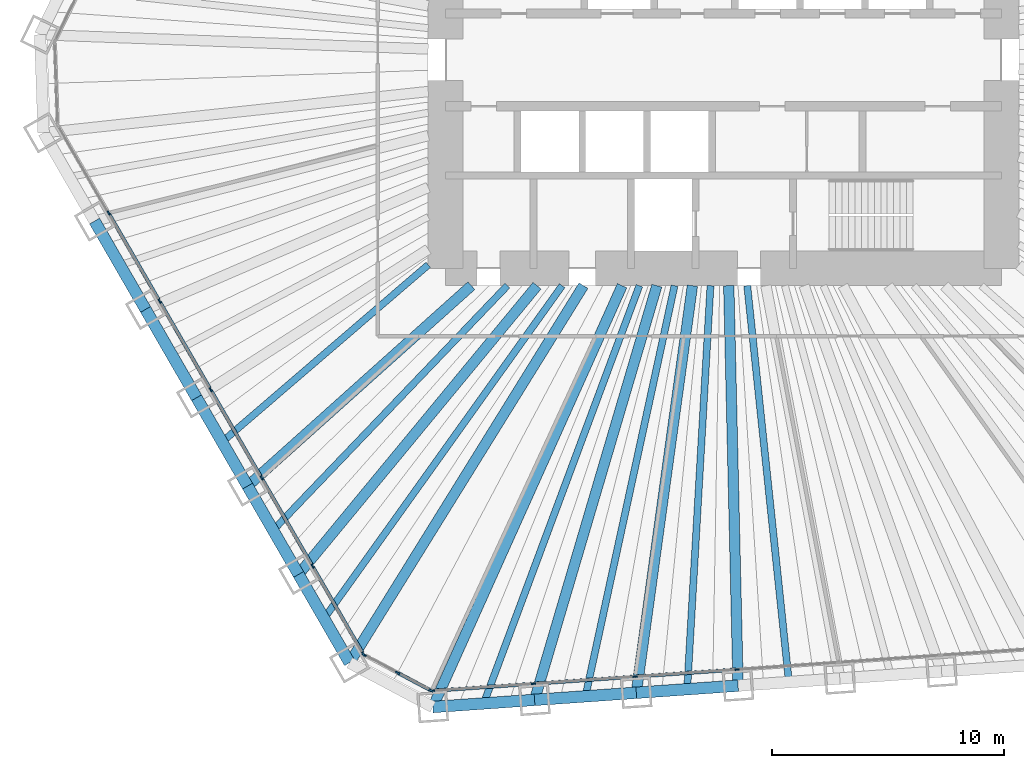
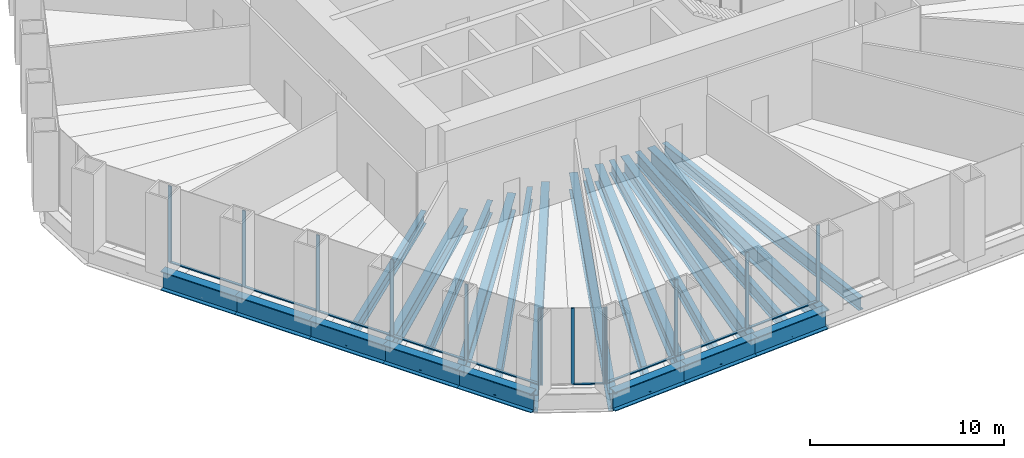
# One storey, part 2 of 14: 22 beams, 22 members, 3 elements without a shape of their own.
"""IFC4 building model written with IfcOpenShell, lengths in metres."""

from ifc_helpers import new_model, si_unit, direction, frame, origin, origin_2d, place, context, subcontext, project, spatial, rectangle, i_section, extrude, material, material_profile, profile_set, type_object, element, aggregate, save


model = new_model("IFC4")

# Units and contexts
model_context = context("Model", 3, precision=1e-05, world=origin(), true_north=direction((0.0, 1.0)))
body_context = subcontext(model_context, "Body", "Model", "MODEL_VIEW")
ifc_project = project(units=[si_unit("LENGTHUNIT", "METRE"), si_unit("AREAUNIT", "SQUARE_METRE"), si_unit("VOLUMEUNIT", "CUBIC_METRE"), si_unit("PLANEANGLEUNIT", "RADIAN"), si_unit("MASSUNIT", "GRAM", prefix="KILO")], contexts=[model_context])

# Site, building, storey
site_placement = place(None, origin())
site = spatial("IfcSite", under=ifc_project, at=site_placement, CompositionType="ELEMENT")
building_placement = place(site_placement, origin())
building = spatial("IfcBuilding", under=site, at=building_placement, Name="Qingtian Harvest Tower", CompositionType="ELEMENT")
storey_placement = place(building_placement, frame((0.0, 0.0, 82.0)))
storey = spatial("IfcBuildingStorey", under=building, at=storey_placement, Name="L16", CompositionType="ELEMENT", Elevation=82.0)

# Beams
ifc_material_1 = material(Name="Steel SM570MC", Category="steel")
ifc_material_profile_1 = material_profile(ifc_material_1, i_section(OverallWidth=0.449951171875, OverallDepth=1.10009765625, WebThickness=0.02197265625, FlangeThickness=0.044921875, at=origin_2d()), Name="H1100x450x22x45")
ifc_profile_set_1 = profile_set([ifc_material_profile_1], Name="Steel SM570MC")
beam_type_1 = type_object("IfcBeamType", Name="Corner floor beam FB8 H1100x450x22x45", PredefinedType="BEAM", material=ifc_profile_set_1)
beam_1_placement = place(storey_placement, frame((-12.552734375, -27.943603515625, -0.75), z_axis=(0.409769605538, 0.912189054077, 0.0), x_axis=(-0.912189054077, 0.409769605538, 0.0)))
element("IfcBeam", 1, at=beam_1_placement, inside=storey, type_object=beam_type_1, Name="Floor beam FB8 S6", PredefinedType="BEAM", context=body_context, shape_type="SweptSolid", body=[
    extrude(i_section(OverallWidth=0.449951171875, OverallDepth=1.10009765625, WebThickness=0.02197265625, FlangeThickness=0.044921875, at=origin_2d()), origin(), (0.0, 0.0, 1.0), 19.945068359375),
])
beam_2_placement = place(storey_placement, frame((-16.14697265625, -26.03271484375, -0.75), z_axis=(0.5270935495, 0.849807266429, 0.0), x_axis=(-0.849807266429, 0.5270935495, 0.0)))
element("IfcBeam", 2, at=beam_2_placement, inside=storey, type_object=beam_type_1, Name="Floor beam FB8 SW0", PredefinedType="BEAM", context=body_context, shape_type="SweptSolid", body=[
    extrude(i_section(OverallWidth=0.449951171875, OverallDepth=1.10009765625, WebThickness=0.02197265625, FlangeThickness=0.044921875, at=origin_2d()), origin(), (0.0, 0.0, 1.0), 19.160400390625),
])
ifc_material_2 = material(Name="Steel SM570MC", Category="steel")
ifc_material_profile_2 = material_profile(ifc_material_2, i_section(OverallWidth=0.449951171875, OverallDepth=1.10009765625, WebThickness=0.02197265625, FlangeThickness=0.044921875, at=origin_2d()), Name="H1100x450x22x45")
ifc_profile_set_2 = profile_set([ifc_material_profile_2], Name="Steel SM570MC")
beam_type_2 = type_object("IfcBeamType", Name="Floor beam FB1 H1100x450x22x45", PredefinedType="BEAM", material=ifc_profile_set_2)
beam_3_placement = place(storey_placement, frame((0.62890625, -27.02197265625, -0.75), z_axis=(-0.023274161941, 0.999729120005, 0.0), x_axis=(-0.999729120005, -0.023274161941, 0.0)))
element("IfcBeam", 3, at=beam_3_placement, inside=storey, type_object=beam_type_2, Name="Floor beam FB1 S3", PredefinedType="BEAM", context=body_context, shape_type="SweptSolid", body=[
    extrude(i_section(OverallWidth=0.449951171875, OverallDepth=1.10009765625, WebThickness=0.02197265625, FlangeThickness=0.044921875, at=origin_2d()), origin(), (0.0, 0.0, 1.0), 17.276611328125),
])
beam_4_placement = place(storey_placement, frame((-3.76513671875, -27.3291015625, -0.75), z_axis=(0.136480966577, 0.990642693287, 0.0), x_axis=(-0.990642693287, 0.136480966577, 0.0)))
element("IfcBeam", 4, at=beam_4_placement, inside=storey, type_object=beam_type_2, Name="Floor beam FB1 S4", PredefinedType="BEAM", context=body_context, shape_type="SweptSolid", body=[
    extrude(i_section(OverallWidth=0.449951171875, OverallDepth=1.10009765625, WebThickness=0.02197265625, FlangeThickness=0.044921875, at=origin_2d()), origin(), (0.0, 0.0, 1.0), 17.7451171875),
])
beam_5_placement = place(storey_placement, frame((-8.158935546875, -27.636474609375, -0.75), z_axis=(0.283142824758, 0.95907775534, 0.0), x_axis=(-0.95907775534, 0.283142824758, 0.0)))
element("IfcBeam", 5, at=beam_5_placement, inside=storey, type_object=beam_type_2, Name="Floor beam FB1 S5", PredefinedType="BEAM", context=body_context, shape_type="SweptSolid", body=[
    extrude(i_section(OverallWidth=0.449951171875, OverallDepth=1.10009765625, WebThickness=0.02197265625, FlangeThickness=0.044921875, at=origin_2d()), origin(), (0.0, 0.0, 1.0), 18.649658203125),
])
beam_6_placement = place(storey_placement, frame((-18.349365234375, -22.21826171875, -0.75), z_axis=(0.636780387972, 0.771045224026, 0.0), x_axis=(-0.771045224026, 0.636780387972, 0.0)))
element("IfcBeam", 6, at=beam_6_placement, inside=storey, type_object=beam_type_2, Name="Floor beam FB1 SW1", PredefinedType="BEAM", context=body_context, shape_type="SweptSolid", body=[
    extrude(i_section(OverallWidth=0.449951171875, OverallDepth=1.10009765625, WebThickness=0.02197265625, FlangeThickness=0.044921875, at=origin_2d()), origin(), (0.0, 0.0, 1.0), 16.170654296875),
])
beam_7_placement = place(storey_placement, frame((-20.551513671875, -18.403564453125, -0.75), z_axis=(0.744965104975, 0.667103434536, 0.0), x_axis=(-0.667103434536, 0.744965104975, 0.0)))
element("IfcBeam", 7, at=beam_7_placement, inside=storey, type_object=beam_type_2, Name="Floor beam FB1 SW2", PredefinedType="BEAM", context=body_context, shape_type="SweptSolid", body=[
    extrude(i_section(OverallWidth=0.449951171875, OverallDepth=1.10009765625, WebThickness=0.02197265625, FlangeThickness=0.044921875, at=origin_2d()), origin(), (0.0, 0.0, 1.0), 12.971923828125),
])
ifc_material_3 = material(Name="Steel SN490B", Category="steel")
ifc_material_profile_3 = material_profile(ifc_material_3, i_section(OverallWidth=0.300048828125, OverallDepth=0.800048828125, WebThickness=0.013916015625, FlangeThickness=0.02587890625, at=origin_2d()), Name="H800x300x14x26")
ifc_profile_set_3 = profile_set([ifc_material_profile_3], Name="Steel SN490B")
beam_type_3 = type_object("IfcBeamType", Name="Floor joist J1 H800x300x14x26", PredefinedType="JOIST", material=ifc_profile_set_3)
beam_8_placement = place(storey_placement, frame((2.82568359375, -26.868408203125, -0.60009765625), z_axis=(-0.104590278152, 0.99451539642, 0.0), x_axis=(-0.99451539642, -0.104590278152, 0.0)))
element("IfcBeam", 8, at=beam_8_placement, inside=storey, type_object=beam_type_3, Name="Floor joist J1 S2", PredefinedType="JOIST", context=body_context, shape_type="SweptSolid", body=[
    extrude(i_section(OverallWidth=0.300048828125, OverallDepth=0.800048828125, WebThickness=0.013916015625, FlangeThickness=0.02587890625, at=origin_2d()), origin(), (0.0, 0.0, 1.0), 17.212890625),
])
beam_9_placement = place(storey_placement, frame((-1.568115234375, -27.175537109375, -0.60009765625), z_axis=(0.057613424947, 0.998338967118, 0.0), x_axis=(-0.998338967118, 0.057613424947, 0.0)))
element("IfcBeam", 9, at=beam_9_placement, inside=storey, type_object=beam_type_3, Name="Floor joist J1 S3", PredefinedType="JOIST", context=body_context, shape_type="SweptSolid", body=[
    extrude(i_section(OverallWidth=0.300048828125, OverallDepth=0.800048828125, WebThickness=0.013916015625, FlangeThickness=0.02587890625, at=origin_2d()), origin(), (0.0, 0.0, 1.0), 17.45458984375),
])
beam_10_placement = place(storey_placement, frame((-5.9619140625, -27.48291015625, -0.60009765625), z_axis=(0.211992805661, 0.977271226604, 0.0), x_axis=(-0.977271226604, 0.211992805661, 0.0)))
element("IfcBeam", 10, at=beam_10_placement, inside=storey, type_object=beam_type_3, Name="Floor joist J1 S4", PredefinedType="JOIST", context=body_context, shape_type="SweptSolid", body=[
    extrude(i_section(OverallWidth=0.300048828125, OverallDepth=0.800048828125, WebThickness=0.013916015625, FlangeThickness=0.02587890625, at=origin_2d()), origin(), (0.0, 0.0, 1.0), 18.145263671875),
])
beam_11_placement = place(storey_placement, frame((-10.35595703125, -27.7900390625, -0.60009765625), z_axis=(0.349193741063, 0.937050548905, 0.0), x_axis=(-0.937050548905, 0.349193741063, 0.0)))
element("IfcBeam", 11, at=beam_11_placement, inside=storey, type_object=beam_type_3, Name="Floor joist J1 S5", PredefinedType="JOIST", context=body_context, shape_type="SweptSolid", body=[
    extrude(i_section(OverallWidth=0.300048828125, OverallDepth=0.800048828125, WebThickness=0.013916015625, FlangeThickness=0.02587890625, at=origin_2d()), origin(), (0.0, 0.0, 1.0), 19.251953125),
])
beam_12_placement = place(storey_placement, frame((-17.248046875, -24.12548828125, -0.60009765625), z_axis=(0.581580544546, 0.81348882611, 0.0), x_axis=(-0.81348882611, 0.581580544546, 0.0)))
element("IfcBeam", 12, at=beam_12_placement, inside=storey, type_object=beam_type_3, Name="Floor joist J1 SW0", PredefinedType="JOIST", context=body_context, shape_type="SweptSolid", body=[
    extrude(i_section(OverallWidth=0.300048828125, OverallDepth=0.800048828125, WebThickness=0.013916015625, FlangeThickness=0.02587890625, at=origin_2d()), origin(), (0.0, 0.0, 1.0), 17.67138671875),
])
beam_13_placement = place(storey_placement, frame((-19.450439453125, -20.31103515625, -0.60009765625), z_axis=(0.691639144398, 0.722243237377, 0.0), x_axis=(-0.722243237377, 0.691639144398, 0.0)))
element("IfcBeam", 13, at=beam_13_placement, inside=storey, type_object=beam_type_3, Name="Floor joist J1 SW1", PredefinedType="JOIST", context=body_context, shape_type="SweptSolid", body=[
    extrude(i_section(OverallWidth=0.300048828125, OverallDepth=0.800048828125, WebThickness=0.013916015625, FlangeThickness=0.02587890625, at=origin_2d()), origin(), (0.0, 0.0, 1.0), 14.62255859375),
])
beam_14_placement = place(storey_placement, frame((-21.652587890625, -16.496337890625, -0.60009765625), z_axis=(0.758605680154, 0.651550014994, 0.0), x_axis=(-0.651550014994, 0.758605680154, 0.0)))
element("IfcBeam", 14, at=beam_14_placement, inside=storey, type_object=beam_type_3, Name="Floor joist J1 SW2", PredefinedType="JOIST", context=body_context, shape_type="SweptSolid", body=[
    extrude(i_section(OverallWidth=0.300048828125, OverallDepth=0.800048828125, WebThickness=0.013916015625, FlangeThickness=0.02587890625, at=origin_2d()), origin(), (0.0, 0.0, 1.0), 11.7353515625),
])

# Curtain wall, members
ifc_material_4 = material(Name="Bronze-anodised aluminium curtain wall", Category="aluminium")
curtain_wall_type = type_object("IfcCurtainWallType", Name="Curtain wall CW2 farm reception", PredefinedType="USERDEFINED", material=ifc_material_4)
curtain_wall_1_placement = place(storey_placement, origin())
curtain_wall_1 = element("IfcCurtainWall", 15, at=curtain_wall_1_placement, inside=storey, type_object=curtain_wall_type, Name="Curtain wall CW2 L16 S0-5", ObjectType="RECESSED CURTAIN WALL", PredefinedType="USERDEFINED")
ifc_material_5 = material(Name="Bronze-anodised aluminium mullion", Category="aluminium")
ifc_material_profile_4 = material_profile(ifc_material_5, rectangle(XDim=0.06494140625, YDim=0.199951171875, at=origin_2d()), Name="AL 65x200")
ifc_profile_set_4 = profile_set([ifc_material_profile_4], Name="Bronze-anodised aluminium mullion")
member_type_1 = type_object("IfcMemberType", Name="Mullion CWM 65x200", PredefinedType="MULLION", material=ifc_profile_set_4)
member_1_placement = place(storey_placement, frame((0.580078125, -26.32373046875, 0.0), z_axis=(0.0, 0.0, 1.0), x_axis=(0.069756473744, -0.99756405026, 0.0)))
member_1 = element("IfcMember", 16, at=member_1_placement, type_object=member_type_1, Name="CW2 mullion 4", PredefinedType="MULLION", context=body_context, shape_type="SweptSolid", body=[
    extrude(rectangle(XDim=0.06494140625, YDim=0.199951171875, at=origin_2d()), origin(), (0.0, 0.0, 1.0), 4.800048828125),
])
member_2_placement = place(storey_placement, frame((-3.81396484375, -26.630859375, 0.0), z_axis=(0.0, 0.0, 1.0), x_axis=(0.069756473744, -0.99756405026, 0.0)))
member_2 = element("IfcMember", 17, at=member_2_placement, type_object=member_type_1, Name="CW2 mullion 5", PredefinedType="MULLION", context=body_context, shape_type="SweptSolid", body=[
    extrude(rectangle(XDim=0.06494140625, YDim=0.199951171875, at=origin_2d()), origin(), (0.0, 0.0, 1.0), 4.800048828125),
])
member_3_placement = place(storey_placement, frame((-8.207763671875, -26.938232421875, 0.0), z_axis=(0.0, 0.0, 1.0), x_axis=(0.069756473744, -0.99756405026, 0.0)))
member_3 = element("IfcMember", 18, at=member_3_placement, type_object=member_type_1, Name="CW2 mullion 6", PredefinedType="MULLION", context=body_context, shape_type="SweptSolid", body=[
    extrude(rectangle(XDim=0.06494140625, YDim=0.199951171875, at=origin_2d()), origin(), (0.0, 0.0, 1.0), 4.800048828125),
])
member_4_placement = place(storey_placement, frame((-12.569091796875, -27.2431640625, 0.0), z_axis=(0.0, 0.0, 1.0), x_axis=(0.069756473744, -0.99756405026, 0.0)))
member_4 = element("IfcMember", 19, at=member_4_placement, type_object=member_type_1, Name="CW2 mullion 7", PredefinedType="MULLION", context=body_context, shape_type="SweptSolid", body=[
    extrude(rectangle(XDim=0.06494140625, YDim=0.199951171875, at=origin_2d()), origin(), (0.0, 0.0, 1.0), 4.800048828125),
])

curtain_wall_2_placement = place(storey_placement, origin())
curtain_wall_2 = element("IfcCurtainWall", 20, at=curtain_wall_2_placement, inside=storey, type_object=curtain_wall_type, Name="Curtain wall CW2 L16 SC", ObjectType="RECESSED CURTAIN WALL", PredefinedType="USERDEFINED")
member_5_placement = place(storey_placement, frame((-12.63037109375, -27.230224609375, 0.0), z_axis=(0.0, 0.0, 1.0), x_axis=(-0.469471562786, -0.882947592859, 0.0)))
member_5 = element("IfcMember", 21, at=member_5_placement, type_object=member_type_1, Name="CW2 mullion 1", PredefinedType="MULLION", context=body_context, shape_type="SweptSolid", body=[
    extrude(rectangle(XDim=0.06494140625, YDim=0.199951171875, at=origin_2d()), origin(), (0.0, 0.0, 1.0), 4.800048828125),
])
member_6_placement = place(storey_placement, frame((-14.0712890625, -26.464111328125, 0.0), z_axis=(0.0, 0.0, 1.0), x_axis=(-0.469471562786, -0.882947592859, 0.0)))
member_6 = element("IfcMember", 22, at=member_6_placement, type_object=member_type_1, Name="CW2 mullion 2", PredefinedType="MULLION", context=body_context, shape_type="SweptSolid", body=[
    extrude(rectangle(XDim=0.06494140625, YDim=0.199951171875, at=origin_2d()), origin(), (0.0, 0.0, 1.0), 4.800048828125),
])
member_7_placement = place(storey_placement, frame((-15.511962890625, -25.697998046875, 0.0), z_axis=(0.0, 0.0, 1.0), x_axis=(-0.469471562786, -0.882947592859, 0.0)))
member_7 = element("IfcMember", 23, at=member_7_placement, type_object=member_type_1, Name="CW2 mullion 3", PredefinedType="MULLION", context=body_context, shape_type="SweptSolid", body=[
    extrude(rectangle(XDim=0.06494140625, YDim=0.199951171875, at=origin_2d()), origin(), (0.0, 0.0, 1.0), 4.800048828125),
])

curtain_wall_3_placement = place(storey_placement, origin())
curtain_wall_3 = element("IfcCurtainWall", 24, at=curtain_wall_3_placement, inside=storey, type_object=curtain_wall_type, Name="Curtain wall CW2 L16 SW0-5", ObjectType="RECESSED CURTAIN WALL", PredefinedType="USERDEFINED")
member_8_placement = place(storey_placement, frame((-15.556884765625, -25.654541015625, 0.0), z_axis=(0.0, 0.0, 1.0), x_axis=(-0.866025403784, -0.5, 0.0)))
member_8 = element("IfcMember", 25, at=member_8_placement, type_object=member_type_1, Name="CW2 mullion 1", PredefinedType="MULLION", context=body_context, shape_type="SweptSolid", body=[
    extrude(rectangle(XDim=0.06494140625, YDim=0.199951171875, at=origin_2d()), origin(), (0.0, 0.0, 1.0), 4.800048828125),
])
member_9_placement = place(storey_placement, frame((-17.742919921875, -21.8681640625, 0.0), z_axis=(0.0, 0.0, 1.0), x_axis=(-0.866025403784, -0.5, 0.0)))
member_9 = element("IfcMember", 26, at=member_9_placement, type_object=member_type_1, Name="CW2 mullion 2", PredefinedType="MULLION", context=body_context, shape_type="SweptSolid", body=[
    extrude(rectangle(XDim=0.06494140625, YDim=0.199951171875, at=origin_2d()), origin(), (0.0, 0.0, 1.0), 4.800048828125),
])
member_10_placement = place(storey_placement, frame((-19.9453125, -18.0537109375, 0.0), z_axis=(0.0, 0.0, 1.0), x_axis=(-0.866025403784, -0.5, 0.0)))
member_10 = element("IfcMember", 27, at=member_10_placement, type_object=member_type_1, Name="CW2 mullion 3", PredefinedType="MULLION", context=body_context, shape_type="SweptSolid", body=[
    extrude(rectangle(XDim=0.06494140625, YDim=0.199951171875, at=origin_2d()), origin(), (0.0, 0.0, 1.0), 4.800048828125),
])
member_11_placement = place(storey_placement, frame((-22.147705078125, -14.2392578125, 0.0), z_axis=(0.0, 0.0, 1.0), x_axis=(-0.866025403784, -0.5, 0.0)))
member_11 = element("IfcMember", 28, at=member_11_placement, type_object=member_type_1, Name="CW2 mullion 4", PredefinedType="MULLION", context=body_context, shape_type="SweptSolid", body=[
    extrude(rectangle(XDim=0.06494140625, YDim=0.199951171875, at=origin_2d()), origin(), (0.0, 0.0, 1.0), 4.800048828125),
])
member_12_placement = place(storey_placement, frame((-24.349853515625, -10.424560546875, 0.0), z_axis=(0.0, 0.0, 1.0), x_axis=(-0.866025403784, -0.5, 0.0)))
member_12 = element("IfcMember", 29, at=member_12_placement, type_object=member_type_1, Name="CW2 mullion 5", PredefinedType="MULLION", context=body_context, shape_type="SweptSolid", body=[
    extrude(rectangle(XDim=0.06494140625, YDim=0.199951171875, at=origin_2d()), origin(), (0.0, 0.0, 1.0), 4.800048828125),
])
member_13_placement = place(storey_placement, frame((-26.55224609375, -6.610107421875, 0.0), z_axis=(0.0, 0.0, 1.0), x_axis=(-0.866025403784, -0.5, 0.0)))
member_13 = element("IfcMember", 30, at=member_13_placement, type_object=member_type_1, Name="CW2 mullion 6", PredefinedType="MULLION", context=body_context, shape_type="SweptSolid", body=[
    extrude(rectangle(XDim=0.06494140625, YDim=0.199951171875, at=origin_2d()), origin(), (0.0, 0.0, 1.0), 4.800048828125),
])

# Beams
ifc_material_6 = material(Name="Steel SM570MC", Category="steel")
ifc_material_profile_5 = material_profile(ifc_material_6, i_section(OverallWidth=0.5, OverallDepth=1.199951171875, WebThickness=0.02490234375, FlangeThickness=0.050048828125, at=origin_2d()), Name="H1200x500x25x50")
ifc_profile_set_5 = profile_set([ifc_material_profile_5], Name="Steel SM570MC")
beam_type_4 = type_object("IfcBeamType", Name="Spandrel beam SB1 H1200x500x25x50", PredefinedType="SPANDREL", material=ifc_profile_set_5)
beam_15_placement = place(storey_placement, frame((0.62890625, -27.02197265625, -0.60009765625), z_axis=(-0.997566143208, -0.069726536735, 0.0), x_axis=(0.069726536735, -0.997566143208, 0.0)))
element("IfcBeam", 31, at=beam_15_placement, inside=storey, type_object=beam_type_4, Name="Spandrel SB1 S3", PredefinedType="SPANDREL", context=body_context, shape_type="SweptSolid", body=[
    extrude(i_section(OverallWidth=0.5, OverallDepth=1.199951171875, WebThickness=0.02490234375, FlangeThickness=0.050048828125, at=origin_2d()), origin(), (0.0, 0.0, 1.0), 4.40478515625),
])
for number, where, z_axis, x_axis, name in (
    (32, (-3.76513671875, -27.3291015625, -0.60009765625), (-0.997562016486, -0.069785551967, 0.0), (0.069785551967, -0.997562016486, 0.0), "Spandrel SB1 S4"),
    (33, (-8.158935546875, -27.636474609375, -0.60009765625), (-0.997565873714, -0.069730392239, 0.0), (0.069730392239, -0.997565873714, 0.0), "Spandrel SB1 S5"),
    (34, (-16.14697265625, -26.03271484375, -0.60009765625), (-0.50001992892, 0.866013897511, 0.0), (-0.866013897511, -0.50001992892, 0.0), "Spandrel SB1 SW0"),
):
    element("IfcBeam", number, at=place(storey_placement, frame(where, z_axis=z_axis, x_axis=x_axis)), inside=storey, type_object=beam_type_4, Name=name, PredefinedType="SPANDREL", context=body_context, shape_type="SweptSolid", body=[
        extrude(i_section(OverallWidth=0.5, OverallDepth=1.199951171875, WebThickness=0.02490234375, FlangeThickness=0.050048828125, at=origin_2d()), origin(), (0.0, 0.0, 1.0), 4.404541015625),
    ])
beam_16_placement = place(storey_placement, frame((-18.349365234375, -22.21826171875, -0.60009765625), z_axis=(-0.499954356739, 0.86605175433, 0.0), x_axis=(-0.86605175433, -0.499954356739, 0.0)))
element("IfcBeam", 35, at=beam_16_placement, inside=storey, type_object=beam_type_4, Name="Spandrel SB1 SW1", PredefinedType="SPANDREL", context=body_context, shape_type="SweptSolid", body=[
    extrude(i_section(OverallWidth=0.5, OverallDepth=1.199951171875, WebThickness=0.02490234375, FlangeThickness=0.050048828125, at=origin_2d()), origin(), (0.0, 0.0, 1.0), 4.40478515625),
])
for number, where, z_axis, x_axis, name in (
    (36, (-20.551513671875, -18.403564453125, -0.60009765625), (-0.50001992892, 0.866013897511, 0.0), (-0.866013897511, -0.50001992892, 0.0), "Spandrel SB1 SW2"),
    (37, (-22.75390625, -14.589111328125, -0.60009765625), (-0.499978356969, 0.866037899034, 0.0), (-0.866037899034, -0.499978356969, 0.0), "Spandrel SB1 SW3"),
    (38, (-24.9560546875, -10.774658203125, -0.60009765625), (-0.50001992892, 0.866013897511, 0.0), (-0.866013897511, -0.50001992892, 0.0), "Spandrel SB1 SW4"),
):
    element("IfcBeam", number, at=place(storey_placement, frame(where, z_axis=z_axis, x_axis=x_axis)), inside=storey, type_object=beam_type_4, Name=name, PredefinedType="SPANDREL", context=body_context, shape_type="SweptSolid", body=[
        extrude(i_section(OverallWidth=0.5, OverallDepth=1.199951171875, WebThickness=0.02490234375, FlangeThickness=0.050048828125, at=origin_2d()), origin(), (0.0, 0.0, 1.0), 4.404541015625),
    ])

# Member
ifc_material_7 = material(Name="Bronze-anodised aluminium transom", Category="aluminium")
ifc_material_profile_6 = material_profile(ifc_material_7, rectangle(XDim=0.14990234375, YDim=0.06494140625, at=origin_2d()), Name="AL 65x150")
ifc_profile_set_6 = profile_set([ifc_material_profile_6], Name="Bronze-anodised aluminium transom")
member_type_2 = type_object("IfcMemberType", Name="Transom CWT 65x150", PredefinedType="USERDEFINED", material=ifc_profile_set_6)
member_14_placement = place(storey_placement, frame((0.547607421875, -26.325927734375, 0.032470703125), z_axis=(-0.997563824095, -0.069759707979, 0.0), x_axis=(0.069759707979, -0.997563824095, 0.0)))
member_14 = element("IfcMember", 39, at=member_14_placement, type_object=member_type_2, Name="CW2 transom 4.1", ObjectType="TRANSOM", PredefinedType="USERDEFINED", context=body_context, shape_type="SweptSolid", body=[
    extrude(rectangle(XDim=0.14990234375, YDim=0.06494140625, at=origin_2d()), origin(), (0.0, 0.0, 1.0), 4.339599609375),
])

member_15_placement = place(storey_placement, frame((-3.84619140625, -26.63330078125, 0.032470703125), z_axis=(-0.997567737508, -0.069703723594, 0.0), x_axis=(0.069703723594, -0.997567737508, 0.0)))
member_15 = element("IfcMember", 40, at=member_15_placement, type_object=member_type_2, Name="CW2 transom 5.1", ObjectType="TRANSOM", PredefinedType="USERDEFINED", context=body_context, shape_type="SweptSolid", body=[
    extrude(rectangle(XDim=0.14990234375, YDim=0.06494140625, at=origin_2d()), origin(), (0.0, 0.0, 1.0), 4.339599609375),
])

member_16_placement = place(storey_placement, frame((-8.240234375, -26.9404296875, 0.032470703125), z_axis=(-0.997562637827, -0.069776669536, 0.0), x_axis=(0.069776669536, -0.997562637827, 0.0)))
member_16 = element("IfcMember", 41, at=member_16_placement, type_object=member_type_2, Name="CW2 transom 6.1", ObjectType="TRANSOM", PredefinedType="USERDEFINED", context=body_context, shape_type="SweptSolid", body=[
    extrude(rectangle(XDim=0.14990234375, YDim=0.06494140625, at=origin_2d()), origin(), (0.0, 0.0, 1.0), 4.30712890625),
])

aggregate(curtain_wall_1, [member_1, member_2, member_3, member_4, member_14, member_15, member_16])

member_17_placement = place(storey_placement, frame((-12.658935546875, -27.21484375, 0.032470703125), z_axis=(-0.882960338349, 0.46944759122, 0.0), x_axis=(-0.46944759122, -0.882960338349, 0.0)))
member_17 = element("IfcMember", 42, at=member_17_placement, type_object=member_type_2, Name="CW2 transom 1.1", ObjectType="TRANSOM", PredefinedType="USERDEFINED", context=body_context, shape_type="SweptSolid", body=[
    extrude(rectangle(XDim=0.14990234375, YDim=0.06494140625, at=origin_2d()), origin(), (0.0, 0.0, 1.0), 1.56689453125),
])

aggregate(curtain_wall_2, [member_5, member_6, member_7, member_17])

member_18_placement = place(storey_placement, frame((-15.5732421875, -25.62646484375, 0.032470703125), z_axis=(-0.499985768833, 0.866033619997, 0.0), x_axis=(-0.866033619997, -0.499985768833, 0.0)))
member_18 = element("IfcMember", 43, at=member_18_placement, type_object=member_type_2, Name="CW2 transom 1.1", ObjectType="TRANSOM", PredefinedType="USERDEFINED", context=body_context, shape_type="SweptSolid", body=[
    extrude(rectangle(XDim=0.14990234375, YDim=0.06494140625, at=origin_2d()), origin(), (0.0, 0.0, 1.0), 4.307373046875),
])

member_19_placement = place(storey_placement, frame((-17.75927734375, -21.840087890625, 0.032470703125), z_axis=(-0.500011390128, 0.866018827591, 0.0), x_axis=(-0.866018827591, -0.500011390128, 0.0)))
member_19 = element("IfcMember", 44, at=member_19_placement, type_object=member_type_2, Name="CW2 transom 2.1", ObjectType="TRANSOM", PredefinedType="USERDEFINED", context=body_context, shape_type="SweptSolid", body=[
    extrude(rectangle(XDim=0.14990234375, YDim=0.06494140625, at=origin_2d()), origin(), (0.0, 0.0, 1.0), 4.33984375),
])

member_20_placement = place(storey_placement, frame((-19.961669921875, -18.025634765625, 0.032470703125), z_axis=(-0.499969196308, 0.866043187574, 0.0), x_axis=(-0.866043187574, -0.499969196308, 0.0)))
member_20 = element("IfcMember", 45, at=member_20_placement, type_object=member_type_2, Name="CW2 transom 3.1", ObjectType="TRANSOM", PredefinedType="USERDEFINED", context=body_context, shape_type="SweptSolid", body=[
    extrude(rectangle(XDim=0.14990234375, YDim=0.06494140625, at=origin_2d()), origin(), (0.0, 0.0, 1.0), 4.339599609375),
])

member_21_placement = place(storey_placement, frame((-22.163818359375, -14.2109375, 0.032470703125), z_axis=(-0.500035751442, 0.866004761696, 0.0), x_axis=(-0.866004761696, -0.500035751442, 0.0)))
member_21 = element("IfcMember", 46, at=member_21_placement, type_object=member_type_2, Name="CW2 transom 4.1", ObjectType="TRANSOM", PredefinedType="USERDEFINED", context=body_context, shape_type="SweptSolid", body=[
    extrude(rectangle(XDim=0.14990234375, YDim=0.06494140625, at=origin_2d()), origin(), (0.0, 0.0, 1.0), 4.339599609375),
])

member_22_placement = place(storey_placement, frame((-24.3662109375, -10.396484375, 0.032470703125), z_axis=(-0.499993556937, 0.866029123656, 0.0), x_axis=(-0.866029123656, -0.499993556937, 0.0)))
member_22 = element("IfcMember", 47, at=member_22_placement, type_object=member_type_2, Name="CW2 transom 5.1", ObjectType="TRANSOM", PredefinedType="USERDEFINED", context=body_context, shape_type="SweptSolid", body=[
    extrude(rectangle(XDim=0.14990234375, YDim=0.06494140625, at=origin_2d()), origin(), (0.0, 0.0, 1.0), 4.33935546875),
])

aggregate(curtain_wall_3, [member_8, member_9, member_10, member_11, member_12, member_13, member_18, member_19, member_20, member_21, member_22])

save(model, "model.ifc")
